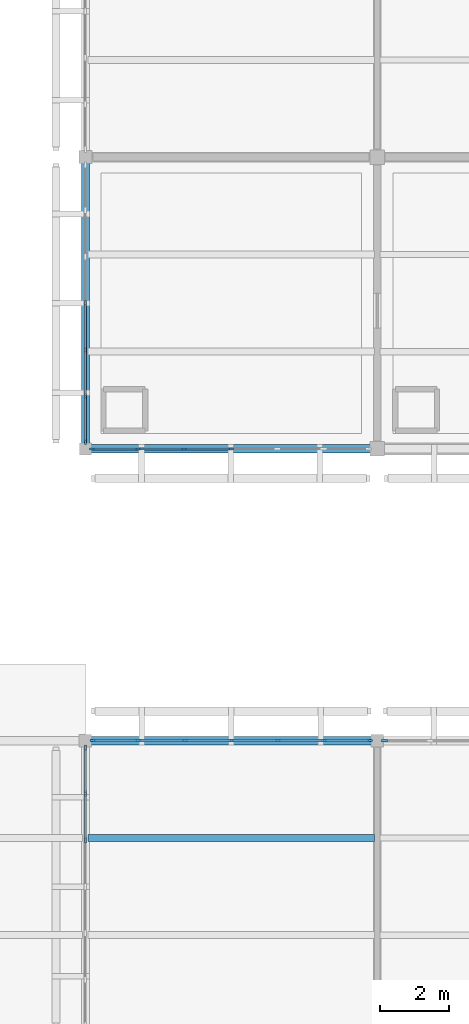
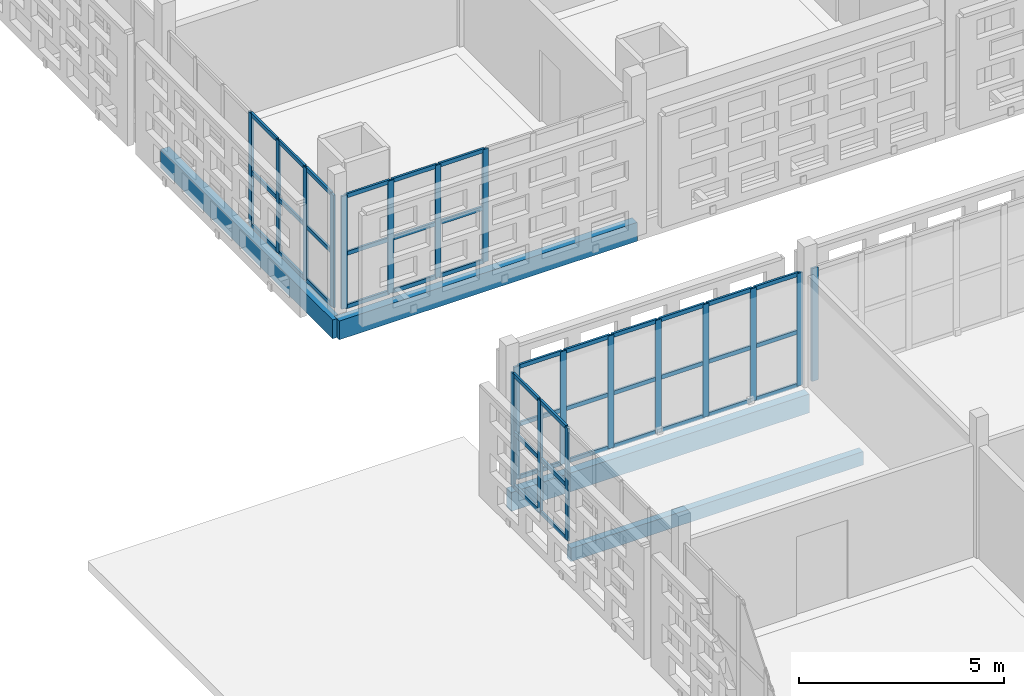
# One storey, part 63 of 166: 61 members, 4 beams, 5 elements without a shape of their own.
"""IFC4 building model written with IfcOpenShell, lengths in metres."""

import ifcopenshell
import ifcopenshell.guid

model = None  # the IFC model being written
_history = None  # IfcOwnerHistory: only IFC2X3 demands one
_inside = {}  # id of a spatial element -> (the spatial element, [elements in it])
_under = {}  # id of a project, library or spatial element -> (it, [spatial elements below it])
_declared = {}  # id of a project -> (the project, [libraries it declares])
_typed = {}  # id of a type object -> (the type object, [elements of that type])
_made_of = {}  # id of a material, layer set ... -> (it, [elements and type objects made of it])


def new_model(schema):
    """Start an empty IFC model of exactly this schema.

    Asked for "IFC4X3", IfcOpenShell would pick the latest addendum, in which some entities
    have other attributes; the version numbers below select the first issue.
    IFC2X3 requires an IfcOwnerHistory on every rooted entity: one is made here for all.
    """
    global model, _history
    if schema == "IFC4X3":
        model = ifcopenshell.file(schema_version=(4, 3, 0, 0))
    else:
        model = ifcopenshell.file(schema=schema)
    _inside.clear()
    _under.clear()
    _declared.clear()
    _typed.clear()
    _made_of.clear()
    _history = None
    if model.schema == "IFC2X3":
        org = make("IfcOrganization", Name="unknown")
        user = make(
            "IfcPersonAndOrganization",
            ThePerson=make("IfcPerson", FamilyName="unknown"),
            TheOrganization=org,
        )
        app = make(
            "IfcApplication",
            ApplicationDeveloper=org,
            Version="unknown",
            ApplicationFullName="unknown",
            ApplicationIdentifier="unknown",
        )
        _history = make(
            "IfcOwnerHistory",
            OwningUser=user,
            OwningApplication=app,
            ChangeAction="ADDED",
            CreationDate=0,
        )
    return model


def make(cls, **values):
    """One entity of the class cls with the attributes given. An attribute that is None is left unset."""
    return model.create_entity(
        cls, **{name: value for name, value in values.items() if value is not None}
    )


def rooted(cls, **values):
    """An entity with a GlobalId (a new one), such as an element, a storey or a relation."""
    return make(cls, GlobalId=ifcopenshell.guid.new(), OwnerHistory=_history, **values)


def si_unit(unit_type, name, prefix=None):
    """IfcSIUnit, for example si_unit("LENGTHUNIT", "METRE", prefix="MILLI")."""
    return make("IfcSIUnit", UnitType=unit_type, Prefix=prefix, Name=name)


def assignment(units):
    """IfcUnitAssignment: the units of a project."""
    return None if units is None else make("IfcUnitAssignment", Units=units)


def point(xyz):
    """IfcCartesianPoint."""
    return None if xyz is None else make("IfcCartesianPoint", Coordinates=xyz)


def direction(xyz):
    """IfcDirection."""
    return None if xyz is None else make("IfcDirection", DirectionRatios=xyz)


def frame(location, z_axis=None, x_axis=None):
    """IfcAxis2Placement3D, a coordinate frame: its origin and axes. An axis left out is left unset."""
    return make(
        "IfcAxis2Placement3D",
        Location=point(location),
        Axis=direction(z_axis),
        RefDirection=direction(x_axis),
    )


def frame_2d(location, x_axis=None):
    """IfcAxis2Placement2D, a coordinate frame in the plane: its origin and x axis."""
    return make(
        "IfcAxis2Placement2D", Location=point(location), RefDirection=direction(x_axis)
    )


def origin():
    """The frame at (0, 0, 0) with its axes left unset."""
    return frame((0.0, 0.0, 0.0))


def origin_2d():
    """The frame at (0, 0) in the plane with its x axis left unset."""
    return frame_2d((0.0, 0.0))


def place(relative_to, where):
    """IfcLocalPlacement: puts the frame where relative to a parent placement (None: the world)."""
    return make(
        "IfcLocalPlacement", PlacementRelTo=relative_to, RelativePlacement=where
    )


def context(
    kind, dimensions, precision=None, world=None, true_north=None, identifier=None
):
    """IfcGeometricRepresentationContext, for example the 3D "Model" context."""
    return make(
        "IfcGeometricRepresentationContext",
        ContextIdentifier=identifier,
        ContextType=kind,
        CoordinateSpaceDimension=dimensions,
        Precision=precision,
        WorldCoordinateSystem=world,
        TrueNorth=true_north,
    )


def subcontext(parent, identifier, kind, view, scale=None):
    """IfcGeometricRepresentationSubContext, for example "Body" below "Model"."""
    return make(
        "IfcGeometricRepresentationSubContext",
        ContextIdentifier=identifier,
        ContextType=kind,
        ParentContext=parent,
        TargetScale=scale,
        TargetView=view,
    )


def project(units=None, contexts=None):
    """IfcProject with its units and contexts."""
    return rooted(
        "IfcProject",
        Name="project",
        RepresentationContexts=contexts,
        UnitsInContext=assignment(units),
    )


def spatial(cls, under=None, at=None, **own):
    """A site, building, storey or space (cls), placed at a placement, below another one or the project."""
    s = rooted(cls, ObjectPlacement=at, **own)
    if under is not None:
        _under.setdefault(under.id(), (under, []))[1].append(s)
    return s


def profile(cls, at=None, kind="AREA", **sizes):
    """A parametric profile (cls). Its sizes go by their IFC names, for example OverallWidth=200.0."""
    return make(cls, ProfileType=kind, Position=at, **sizes)


def rectangle(**sizes):
    """IfcRectangleProfileDef."""
    return profile("IfcRectangleProfileDef", **sizes)


def extrude(swept, where, along, depth):
    """IfcExtrudedAreaSolid: the profile swept, set in the frame where, extruded along a direction by depth."""
    return make(
        "IfcExtrudedAreaSolid",
        SweptArea=swept,
        Position=where,
        ExtrudedDirection=direction(along),
        Depth=depth,
    )


def shape(context_of_items, identifier, shape_type, items):
    """IfcShapeRepresentation: the items that make up one representation, for example the "Body"."""
    return make(
        "IfcShapeRepresentation",
        ContextOfItems=context_of_items,
        RepresentationIdentifier=identifier,
        RepresentationType=shape_type,
        Items=items,
    )


def material(Name=None, Category=None):
    """IfcMaterial."""
    return make("IfcMaterial", Name=Name, Category=Category)


def layer(
    of_material, thickness, ventilated=None, Name=None, Category=None, Priority=None
):
    """IfcMaterialLayer: one layer of a wall or slab, of a material (None: an air gap)."""
    return make(
        "IfcMaterialLayer",
        Material=of_material,
        LayerThickness=thickness,
        IsVentilated=ventilated,
        Name=Name,
        Category=Category,
        Priority=Priority,
    )


def layer_set(layers, Name=None):
    """IfcMaterialLayerSet."""
    return make("IfcMaterialLayerSet", MaterialLayers=layers, LayerSetName=Name)


def material_profile(
    of_material, cross_section, Name=None, Category=None, Priority=None
):
    """IfcMaterialProfile: a cross section and its material."""
    return make(
        "IfcMaterialProfile",
        Name=Name,
        Material=of_material,
        Profile=cross_section,
        Priority=Priority,
        Category=Category,
    )


def profile_set(profiles, Name=None, composite=None):
    """IfcMaterialProfileSet."""
    return make(
        "IfcMaterialProfileSet",
        Name=Name,
        MaterialProfiles=profiles,
        CompositeProfile=composite,
    )


def made_of(thing, what):
    """Note that an element or type object is made of a material, layer set ...; save() writes the relation."""
    if what is not None:
        _made_of.setdefault(what.id(), (what, []))[1].append(thing)
    return thing


def type_object(cls, material=None, **own):
    """A type object (cls), such as IfcWallType, which elements share."""
    return made_of(rooted(cls, **own), material)


def element(
    cls,
    number,
    at=None,
    inside=None,
    cuts=None,
    type_object=None,
    material=None,
    context=None,
    identifier="Body",
    shape_type=None,
    held_by="IfcProductDefinitionShape",
    body=None,
    shapes=None,
    **own,
):
    """One element of the class cls, such as IfcWall. Its Tag is "e" and its number.

    at: its placement. inside: the storey or other place that contains it. cuts: it is an
    opening in that element (IfcRelVoidsElement). A single representation is given by context,
    identifier, shape_type and body (its items); several are given by shapes. held_by: the class
    of the entity that holds the representations. save() writes the other relations.
    """
    e = rooted(cls, Tag="e%d" % number, ObjectPlacement=at, **own)
    if body is not None:
        shapes = [shape(context, identifier, shape_type, body)]
    if shapes is not None:
        e.Representation = make(held_by, Representations=shapes)
    if inside is not None:
        _inside.setdefault(inside.id(), (inside, []))[1].append(e)
    if cuts is not None:
        rooted(
            "IfcRelVoidsElement", RelatingBuildingElement=cuts, RelatedOpeningElement=e
        )
    if type_object is not None:
        _typed.setdefault(type_object.id(), (type_object, []))[1].append(e)
    return made_of(e, material)


def aggregate(whole, parts):
    """IfcRelAggregates: a whole, such as a stair, and the parts it consists of."""
    return rooted("IfcRelAggregates", RelatingObject=whole, RelatedObjects=parts)


def save(model, path):
    """Write the relations noted so far, then the file.

    IfcRelAggregates (storeys below a building ...), IfcRelContainedInSpatialStructure (elements
    in a storey), IfcRelDefinesByType, IfcRelAssociatesMaterial and IfcRelDeclares: one each for
    every whole, place, type object, material and project.
    """
    for whole, parts in _under.values():
        aggregate(whole, parts)
    for where, things in _inside.values():
        rooted(
            "IfcRelContainedInSpatialStructure",
            RelatedElements=things,
            RelatingStructure=where,
        )
    for kind, things in _typed.values():
        rooted("IfcRelDefinesByType", RelatedObjects=things, RelatingType=kind)
    for what, things in _made_of.values():
        rooted("IfcRelAssociatesMaterial", RelatedObjects=things, RelatingMaterial=what)
    for by, libraries in _declared.values():
        rooted("IfcRelDeclares", RelatingContext=by, RelatedDefinitions=libraries)
    model.write(path)


model = new_model("IFC4")

# Units and contexts
model_context = context("Model", 3, precision=1e-05, world=origin(), true_north=direction((0.0, 1.0)))
body_context = subcontext(model_context, "Body", "Model", "MODEL_VIEW")
ifc_project = project(units=[si_unit("LENGTHUNIT", "METRE"), si_unit("AREAUNIT", "SQUARE_METRE"), si_unit("VOLUMEUNIT", "CUBIC_METRE"), si_unit("PLANEANGLEUNIT", "RADIAN"), si_unit("MASSUNIT", "GRAM", prefix="KILO")], contexts=[model_context])

# Site, building, storey
site_placement = place(None, origin())
site = spatial("IfcSite", under=ifc_project, at=site_placement, CompositionType="ELEMENT")
building_placement = place(site_placement, origin())
building = spatial("IfcBuilding", under=site, at=building_placement, Name="Varnapada Polytechnic", CompositionType="ELEMENT")
storey_placement = place(building_placement, frame((0.0, 0.0, 9.60009765625)))
storey = spatial("IfcBuildingStorey", under=building, at=storey_placement, Name="L02", CompositionType="ELEMENT", Elevation=9.60009765625)

# Beam
ifc_material_1 = material(Name="Glulam GL32h", Category="wood")
ifc_material_profile_1 = material_profile(ifc_material_1, rectangle(XDim=0.199951171875, YDim=0.39990234375, at=origin_2d()), Name="GL 200x400")
ifc_profile_set_1 = profile_set([ifc_material_profile_1], Name="Glulam GL32h")
beam_type_1 = type_object("IfcBeamType", Name="Library/laboratory glulam floor joist GJ-01 (GL 200x400)", PredefinedType="JOIST", material=ifc_profile_set_1)
beam_1_placement = place(storey_placement, frame((134.47998046875, 47.60009765625, -0.47021484375), z_axis=(1.0, 0.0, 0.0), x_axis=(0.0, 1.0, 0.0)))
element("IfcBeam", 1, at=beam_1_placement, inside=storey, type_object=beam_type_1, Name="L02 floor joist 17/6.2", PredefinedType="JOIST", context=body_context, shape_type="SweptSolid", body=[
    extrude(rectangle(XDim=0.199951171875, YDim=0.39990234375, at=origin_2d()), origin(), (0.0, 0.0, 1.0), 8.239990234375),
])

# Curtain wall, members
ifc_material_2 = material(Name="Double low-E laminated glass", Category="glass")
ifc_layer_1 = layer(ifc_material_2, 0.159912109375)
ifc_layer_set_1 = layer_set([ifc_layer_1], Name="Double low-E laminated glass")
curtain_wall_type_1 = type_object("IfcCurtainWallType", Name="Curtain Wall CW-01", PredefinedType="NOTDEFINED", material=ifc_layer_set_1)
curtain_wall_1_placement = place(storey_placement, origin())
curtain_wall_1 = element("IfcCurtainWall", 2, at=curtain_wall_1_placement, inside=storey, type_object=curtain_wall_type_1, Name="L02 unitised curtain wall CW-01 (186)", PredefinedType="NOTDEFINED")
ifc_material_3 = material(Name="Anodised aluminium", Category="aluminium")
ifc_material_profile_2 = material_profile(ifc_material_3, rectangle(XDim=0.06005859375, YDim=0.159912109375, at=origin_2d()), Name="ALU M60x160")
ifc_profile_set_2 = profile_set([ifc_material_profile_2], Name="Anodised aluminium")
member_type_1 = type_object("IfcMemberType", Name="Mullion M-01", PredefinedType="MULLION", material=ifc_profile_set_2)
member_1_placement = place(storey_placement, frame((134.610107421875, 50.39990234375, 0.0), z_axis=(0.0, 0.0, 1.0), x_axis=(0.0, 1.0, 0.0)))
member_1 = element("IfcMember", 3, at=member_1_placement, type_object=member_type_1, Name="CW-01 mullion 1", PredefinedType="MULLION", context=body_context, shape_type="SweptSolid", body=[
    extrude(rectangle(XDim=0.06005859375, YDim=0.159912109375, at=origin_2d()), origin(), (0.0, 0.0, 1.0), 3.35986328125),
])
member_2_placement = place(storey_placement, frame((135.919921875, 50.39990234375, 0.0), z_axis=(0.0, 0.0, 1.0), x_axis=(0.0, 1.0, 0.0)))
member_2 = element("IfcMember", 4, at=member_2_placement, type_object=member_type_1, Name="CW-01 mullion 2", PredefinedType="MULLION", context=body_context, shape_type="SweptSolid", body=[
    extrude(rectangle(XDim=0.06005859375, YDim=0.159912109375, at=origin_2d()), origin(), (0.0, 0.0, 1.0), 3.35986328125),
])
member_3_placement = place(storey_placement, frame((137.260009765625, 50.39990234375, 0.0), z_axis=(0.0, 0.0, 1.0), x_axis=(0.0, 1.0, 0.0)))
member_3 = element("IfcMember", 5, at=member_3_placement, type_object=member_type_1, Name="CW-01 mullion 3", PredefinedType="MULLION", context=body_context, shape_type="SweptSolid", body=[
    extrude(rectangle(XDim=0.06005859375, YDim=0.159912109375, at=origin_2d()), origin(), (0.0, 0.0, 1.0), 3.35986328125),
])
member_4_placement = place(storey_placement, frame((138.60009765625, 50.39990234375, 0.0), z_axis=(0.0, 0.0, 1.0), x_axis=(0.0, 1.0, 0.0)))
member_4 = element("IfcMember", 6, at=member_4_placement, type_object=member_type_1, Name="CW-01 mullion 4", PredefinedType="MULLION", context=body_context, shape_type="SweptSolid", body=[
    extrude(rectangle(XDim=0.06005859375, YDim=0.159912109375, at=origin_2d()), origin(), (0.0, 0.0, 1.0), 3.35986328125),
])
member_5_placement = place(storey_placement, frame((139.93994140625, 50.39990234375, 0.0), z_axis=(0.0, 0.0, 1.0), x_axis=(0.0, 1.0, 0.0)))
member_5 = element("IfcMember", 7, at=member_5_placement, type_object=member_type_1, Name="CW-01 mullion 5", PredefinedType="MULLION", context=body_context, shape_type="SweptSolid", body=[
    extrude(rectangle(XDim=0.06005859375, YDim=0.159912109375, at=origin_2d()), origin(), (0.0, 0.0, 1.0), 3.35986328125),
])
member_6_placement = place(storey_placement, frame((141.280029296875, 50.39990234375, 0.0), z_axis=(0.0, 0.0, 1.0), x_axis=(0.0, 1.0, 0.0)))
member_6 = element("IfcMember", 8, at=member_6_placement, type_object=member_type_1, Name="CW-01 mullion 6", PredefinedType="MULLION", context=body_context, shape_type="SweptSolid", body=[
    extrude(rectangle(XDim=0.06005859375, YDim=0.159912109375, at=origin_2d()), origin(), (0.0, 0.0, 1.0), 3.35986328125),
])
member_7_placement = place(storey_placement, frame((142.590087890625, 50.39990234375, 0.0), z_axis=(0.0, 0.0, 1.0), x_axis=(0.0, 1.0, 0.0)))
member_7 = element("IfcMember", 9, at=member_7_placement, type_object=member_type_1, Name="CW-01 mullion 7", PredefinedType="MULLION", context=body_context, shape_type="SweptSolid", body=[
    extrude(rectangle(XDim=0.06005859375, YDim=0.159912109375, at=origin_2d()), origin(), (0.0, 0.0, 1.0), 3.35986328125),
])

curtain_wall_2_placement = place(storey_placement, origin())
curtain_wall_2 = element("IfcCurtainWall", 10, at=curtain_wall_2_placement, inside=storey, type_object=curtain_wall_type_1, Name="L02 unitised curtain wall CW-01 (187)", PredefinedType="NOTDEFINED")
member_8_placement = place(storey_placement, frame((134.39990234375, 47.53662109375, 0.0), z_axis=(0.0, 0.0, 1.0), x_axis=(-1.0, 0.0, 0.0)))
member_8 = element("IfcMember", 11, at=member_8_placement, type_object=member_type_1, Name="CW-01 mullion 5", PredefinedType="MULLION", context=body_context, shape_type="SweptSolid", body=[
    extrude(rectangle(XDim=0.06005859375, YDim=0.159912109375, at=origin_2d()), origin(), (0.0, 0.0, 1.0), 3.35986328125),
])
member_9_placement = place(storey_placement, frame((134.39990234375, 48.87841796875, 0.0), z_axis=(0.0, 0.0, 1.0), x_axis=(-1.0, 0.0, 0.0)))
member_9 = element("IfcMember", 12, at=member_9_placement, type_object=member_type_1, Name="CW-01 mullion 6", PredefinedType="MULLION", context=body_context, shape_type="SweptSolid", body=[
    extrude(rectangle(XDim=0.06005859375, YDim=0.159912109375, at=origin_2d()), origin(), (0.0, 0.0, 1.0), 3.35986328125),
])
member_10_placement = place(storey_placement, frame((134.39990234375, 50.18994140625, 0.0), z_axis=(0.0, 0.0, 1.0), x_axis=(-1.0, 0.0, 0.0)))
member_10 = element("IfcMember", 13, at=member_10_placement, type_object=member_type_1, Name="CW-01 mullion 7", PredefinedType="MULLION", context=body_context, shape_type="SweptSolid", body=[
    extrude(rectangle(XDim=0.06005859375, YDim=0.159912109375, at=origin_2d()), origin(), (0.0, 0.0, 1.0), 3.35986328125),
])

curtain_wall_3_placement = place(storey_placement, origin())
curtain_wall_3 = element("IfcCurtainWall", 14, at=curtain_wall_3_placement, inside=storey, type_object=curtain_wall_type_1, Name="L02 unitised curtain wall CW-01 (188)", PredefinedType="NOTDEFINED")
member_11_placement = place(storey_placement, frame((138.580078125, 58.800048828125, 0.0), z_axis=(0.0, 0.0, 1.0), x_axis=(0.0, -1.0, 0.0)))
member_11 = element("IfcMember", 15, at=member_11_placement, type_object=member_type_1, Name="CW-01 mullion 4", PredefinedType="MULLION", context=body_context, shape_type="SweptSolid", body=[
    extrude(rectangle(XDim=0.06005859375, YDim=0.159912109375, at=origin_2d()), origin(), (0.0, 0.0, 1.0), 3.35986328125),
])
member_12_placement = place(storey_placement, frame((137.243408203125, 58.800048828125, 0.0), z_axis=(0.0, 0.0, 1.0), x_axis=(0.0, -1.0, 0.0)))
member_12 = element("IfcMember", 16, at=member_12_placement, type_object=member_type_1, Name="CW-01 mullion 5", PredefinedType="MULLION", context=body_context, shape_type="SweptSolid", body=[
    extrude(rectangle(XDim=0.06005859375, YDim=0.159912109375, at=origin_2d()), origin(), (0.0, 0.0, 1.0), 3.35986328125),
])
member_13_placement = place(storey_placement, frame((135.90673828125, 58.800048828125, 0.0), z_axis=(0.0, 0.0, 1.0), x_axis=(0.0, -1.0, 0.0)))
member_13 = element("IfcMember", 17, at=member_13_placement, type_object=member_type_1, Name="CW-01 mullion 6", PredefinedType="MULLION", context=body_context, shape_type="SweptSolid", body=[
    extrude(rectangle(XDim=0.06005859375, YDim=0.159912109375, at=origin_2d()), origin(), (0.0, 0.0, 1.0), 3.35986328125),
])
member_14_placement = place(storey_placement, frame((134.60009765625, 58.800048828125, 0.0), z_axis=(0.0, 0.0, 1.0), x_axis=(0.0, -1.0, 0.0)))
member_14 = element("IfcMember", 18, at=member_14_placement, type_object=member_type_1, Name="CW-01 mullion 7", PredefinedType="MULLION", context=body_context, shape_type="SweptSolid", body=[
    extrude(rectangle(XDim=0.06005859375, YDim=0.159912109375, at=origin_2d()), origin(), (0.0, 0.0, 1.0), 3.35986328125),
])

curtain_wall_4_placement = place(storey_placement, origin())
curtain_wall_4 = element("IfcCurtainWall", 19, at=curtain_wall_4_placement, inside=storey, type_object=curtain_wall_type_1, Name="L02 unitised curtain wall CW-01 (189)", PredefinedType="NOTDEFINED")
member_15_placement = place(storey_placement, frame((134.39990234375, 59.0, 0.0), z_axis=(0.0, 0.0, 1.0), x_axis=(-1.0, 0.0, 0.0)))
member_15 = element("IfcMember", 20, at=member_15_placement, type_object=member_type_1, Name="CW-01 mullion 1", PredefinedType="MULLION", context=body_context, shape_type="SweptSolid", body=[
    extrude(rectangle(XDim=0.06005859375, YDim=0.159912109375, at=origin_2d()), origin(), (0.0, 0.0, 1.0), 3.35986328125),
])
member_16_placement = place(storey_placement, frame((134.39990234375, 60.31005859375, 0.0), z_axis=(0.0, 0.0, 1.0), x_axis=(-1.0, 0.0, 0.0)))
member_16 = element("IfcMember", 21, at=member_16_placement, type_object=member_type_1, Name="CW-01 mullion 2", PredefinedType="MULLION", context=body_context, shape_type="SweptSolid", body=[
    extrude(rectangle(XDim=0.06005859375, YDim=0.159912109375, at=origin_2d()), origin(), (0.0, 0.0, 1.0), 3.35986328125),
])
member_17_placement = place(storey_placement, frame((134.39990234375, 61.64990234375, 0.0), z_axis=(0.0, 0.0, 1.0), x_axis=(-1.0, 0.0, 0.0)))
member_17 = element("IfcMember", 22, at=member_17_placement, type_object=member_type_1, Name="CW-01 mullion 3", PredefinedType="MULLION", context=body_context, shape_type="SweptSolid", body=[
    extrude(rectangle(XDim=0.06005859375, YDim=0.159912109375, at=origin_2d()), origin(), (0.0, 0.0, 1.0), 3.35986328125),
])
member_18_placement = place(storey_placement, frame((134.39990234375, 62.989990234375, 0.0), z_axis=(0.0, 0.0, 1.0), x_axis=(-1.0, 0.0, 0.0)))
member_18 = element("IfcMember", 23, at=member_18_placement, type_object=member_type_1, Name="CW-01 mullion 4", PredefinedType="MULLION", context=body_context, shape_type="SweptSolid", body=[
    extrude(rectangle(XDim=0.06005859375, YDim=0.159912109375, at=origin_2d()), origin(), (0.0, 0.0, 1.0), 3.35986328125),
])

# Curtain wall, member
ifc_layer_2 = layer(ifc_material_2, 0.179931640625)
ifc_layer_set_2 = layer_set([ifc_layer_2], Name="Double low-E laminated glass")
curtain_wall_type_2 = type_object("IfcCurtainWallType", Name="Curtain Wall CW-04", PredefinedType="NOTDEFINED", material=ifc_layer_set_2)
curtain_wall_5_placement = place(storey_placement, origin())
curtain_wall_5 = element("IfcCurtainWall", 24, at=curtain_wall_5_placement, inside=storey, type_object=curtain_wall_type_2, Name="L02 unitised curtain wall CW-04 (193)", PredefinedType="NOTDEFINED")
ifc_material_profile_3 = material_profile(ifc_material_3, rectangle(XDim=0.06494140625, YDim=0.179931640625, at=origin_2d()), Name="ALU M65x180")
ifc_profile_set_3 = profile_set([ifc_material_profile_3], Name="Anodised aluminium")
member_type_2 = type_object("IfcMemberType", Name="Mullion M-02", PredefinedType="MULLION", material=ifc_profile_set_3)
member_19_placement = place(storey_placement, frame((143.012451171875, 50.39990234375, 0.0), z_axis=(0.0, 0.0, 1.0), x_axis=(0.0, 1.0, 0.0)))
member_19 = element("IfcMember", 25, at=member_19_placement, type_object=member_type_2, Name="CW-04 mullion 1", PredefinedType="MULLION", context=body_context, shape_type="SweptSolid", body=[
    extrude(rectangle(XDim=0.06494140625, YDim=0.179931640625, at=origin_2d()), origin(), (0.0, 0.0, 1.0), 3.35986328125),
])
aggregate(curtain_wall_5, [member_19])

# Beams
ifc_material_profile_4 = material_profile(ifc_material_1, rectangle(XDim=0.239990234375, YDim=0.56005859375, at=origin_2d()), Name="GL 240x560")
ifc_profile_set_4 = profile_set([ifc_material_profile_4], Name="Glulam GL32h")
beam_type_2 = type_object("IfcBeamType", Name="Perimeter glulam spandrel beam SP-02 (GL 240x560)", PredefinedType="SPANDREL", material=ifc_profile_set_4)
for number, where, z_axis, x_axis, name in (
    (26, (134.39990234375, 50.39990234375, -0.550048828125), (1.0, 0.0, 0.0), (0.0, 1.0, 0.0), "L02 beam X 17-18 at Y7"),
    (27, (134.39990234375, 58.800048828125, -0.530029296875), (1.0, 0.0, 0.0), (0.0, 1.0, 0.0), "L02 beam X 17-18 at Y8"),
):
    element("IfcBeam", number, at=place(storey_placement, frame(where, z_axis=z_axis, x_axis=x_axis)), inside=storey, type_object=beam_type_2, Name=name, PredefinedType="SPANDREL", context=body_context, shape_type="SweptSolid", body=[
        extrude(rectangle(XDim=0.239990234375, YDim=0.56005859375, at=origin_2d()), origin(), (0.0, 0.0, 1.0), 8.400146484375),
    ])
beam_2_placement = place(storey_placement, frame((134.39990234375, 58.800048828125, -0.530029296875), z_axis=(0.0, 1.0, 0.0), x_axis=(-1.0, 0.0, 0.0)))
element("IfcBeam", 28, at=beam_2_placement, inside=storey, type_object=beam_type_2, Name="L02 beam Y 8-9 at X17", PredefinedType="SPANDREL", context=body_context, shape_type="SweptSolid", body=[
    extrude(rectangle(XDim=0.239990234375, YDim=0.56005859375, at=origin_2d()), origin(), (0.0, 0.0, 1.0), 8.39990234375),
])

# Member
ifc_material_profile_5 = material_profile(ifc_material_3, rectangle(XDim=0.06005859375, YDim=0.1201171875, at=origin_2d()), Name="ALU T60x120")
ifc_profile_set_5 = profile_set([ifc_material_profile_5], Name="Anodised aluminium")
member_type_3 = type_object("IfcMemberType", Name="Transom T-01", PredefinedType="USERDEFINED", material=ifc_profile_set_5)
member_20_placement = place(storey_placement, frame((134.639892578125, 50.39990234375, 0.02978515625), z_axis=(1.0, 0.0, 0.0), x_axis=(0.0, 1.0, 0.0)))
member_20 = element("IfcMember", 29, at=member_20_placement, type_object=member_type_3, Name="CW-01 transom 1.1", ObjectType="TRANSOM", PredefinedType="USERDEFINED", context=body_context, shape_type="SweptSolid", body=[
    extrude(rectangle(XDim=0.06005859375, YDim=0.1201171875, at=origin_2d()), origin(), (0.0, 0.0, 1.0), 1.25),
])

member_21_placement = place(storey_placement, frame((134.639892578125, 50.39990234375, 1.61279296875), z_axis=(1.0, 0.0, 0.0), x_axis=(0.0, 1.0, 0.0)))
member_21 = element("IfcMember", 30, at=member_21_placement, type_object=member_type_3, Name="CW-01 transom 1.2", ObjectType="TRANSOM", PredefinedType="USERDEFINED", context=body_context, shape_type="SweptSolid", body=[
    extrude(rectangle(XDim=0.06005859375, YDim=0.1201171875, at=origin_2d()), origin(), (0.0, 0.0, 1.0), 1.25),
])

member_22_placement = place(storey_placement, frame((134.639892578125, 50.39990234375, 3.329833984375), z_axis=(1.0, 0.0, 0.0), x_axis=(0.0, 1.0, 0.0)))
member_22 = element("IfcMember", 31, at=member_22_placement, type_object=member_type_3, Name="CW-01 transom 1.3", ObjectType="TRANSOM", PredefinedType="USERDEFINED", context=body_context, shape_type="SweptSolid", body=[
    extrude(rectangle(XDim=0.06005859375, YDim=0.1201171875, at=origin_2d()), origin(), (0.0, 0.0, 1.0), 1.25),
])

member_23_placement = place(storey_placement, frame((135.949951171875, 50.39990234375, 0.02978515625), z_axis=(1.0, 0.0, 0.0), x_axis=(0.0, 1.0, 0.0)))
member_23 = element("IfcMember", 32, at=member_23_placement, type_object=member_type_3, Name="CW-01 transom 2.1", ObjectType="TRANSOM", PredefinedType="USERDEFINED", context=body_context, shape_type="SweptSolid", body=[
    extrude(rectangle(XDim=0.06005859375, YDim=0.1201171875, at=origin_2d()), origin(), (0.0, 0.0, 1.0), 1.280029296875),
])

member_24_placement = place(storey_placement, frame((135.949951171875, 50.39990234375, 1.61279296875), z_axis=(1.0, 0.0, 0.0), x_axis=(0.0, 1.0, 0.0)))
member_24 = element("IfcMember", 33, at=member_24_placement, type_object=member_type_3, Name="CW-01 transom 2.2", ObjectType="TRANSOM", PredefinedType="USERDEFINED", context=body_context, shape_type="SweptSolid", body=[
    extrude(rectangle(XDim=0.06005859375, YDim=0.1201171875, at=origin_2d()), origin(), (0.0, 0.0, 1.0), 1.280029296875),
])

member_25_placement = place(storey_placement, frame((135.949951171875, 50.39990234375, 3.329833984375), z_axis=(1.0, 0.0, 0.0), x_axis=(0.0, 1.0, 0.0)))
member_25 = element("IfcMember", 34, at=member_25_placement, type_object=member_type_3, Name="CW-01 transom 2.3", ObjectType="TRANSOM", PredefinedType="USERDEFINED", context=body_context, shape_type="SweptSolid", body=[
    extrude(rectangle(XDim=0.06005859375, YDim=0.1201171875, at=origin_2d()), origin(), (0.0, 0.0, 1.0), 1.280029296875),
])

member_26_placement = place(storey_placement, frame((137.2900390625, 50.39990234375, 0.02978515625), z_axis=(1.0, 0.0, 0.0), x_axis=(0.0, 1.0, 0.0)))
member_26 = element("IfcMember", 35, at=member_26_placement, type_object=member_type_3, Name="CW-01 transom 3.1", ObjectType="TRANSOM", PredefinedType="USERDEFINED", context=body_context, shape_type="SweptSolid", body=[
    extrude(rectangle(XDim=0.06005859375, YDim=0.1201171875, at=origin_2d()), origin(), (0.0, 0.0, 1.0), 1.280029296875),
])

member_27_placement = place(storey_placement, frame((137.2900390625, 50.39990234375, 1.61279296875), z_axis=(1.0, 0.0, 0.0), x_axis=(0.0, 1.0, 0.0)))
member_27 = element("IfcMember", 36, at=member_27_placement, type_object=member_type_3, Name="CW-01 transom 3.2", ObjectType="TRANSOM", PredefinedType="USERDEFINED", context=body_context, shape_type="SweptSolid", body=[
    extrude(rectangle(XDim=0.06005859375, YDim=0.1201171875, at=origin_2d()), origin(), (0.0, 0.0, 1.0), 1.280029296875),
])

member_28_placement = place(storey_placement, frame((137.2900390625, 50.39990234375, 3.329833984375), z_axis=(1.0, 0.0, 0.0), x_axis=(0.0, 1.0, 0.0)))
member_28 = element("IfcMember", 37, at=member_28_placement, type_object=member_type_3, Name="CW-01 transom 3.3", ObjectType="TRANSOM", PredefinedType="USERDEFINED", context=body_context, shape_type="SweptSolid", body=[
    extrude(rectangle(XDim=0.06005859375, YDim=0.1201171875, at=origin_2d()), origin(), (0.0, 0.0, 1.0), 1.280029296875),
])

member_29_placement = place(storey_placement, frame((138.6298828125, 50.39990234375, 0.02978515625), z_axis=(1.0, 0.0, 0.0), x_axis=(0.0, 1.0, 0.0)))
member_29 = element("IfcMember", 38, at=member_29_placement, type_object=member_type_3, Name="CW-01 transom 4.1", ObjectType="TRANSOM", PredefinedType="USERDEFINED", context=body_context, shape_type="SweptSolid", body=[
    extrude(rectangle(XDim=0.06005859375, YDim=0.1201171875, at=origin_2d()), origin(), (0.0, 0.0, 1.0), 1.280029296875),
])

member_30_placement = place(storey_placement, frame((138.6298828125, 50.39990234375, 1.61279296875), z_axis=(1.0, 0.0, 0.0), x_axis=(0.0, 1.0, 0.0)))
member_30 = element("IfcMember", 39, at=member_30_placement, type_object=member_type_3, Name="CW-01 transom 4.2", ObjectType="TRANSOM", PredefinedType="USERDEFINED", context=body_context, shape_type="SweptSolid", body=[
    extrude(rectangle(XDim=0.06005859375, YDim=0.1201171875, at=origin_2d()), origin(), (0.0, 0.0, 1.0), 1.280029296875),
])

member_31_placement = place(storey_placement, frame((138.6298828125, 50.39990234375, 3.329833984375), z_axis=(1.0, 0.0, 0.0), x_axis=(0.0, 1.0, 0.0)))
member_31 = element("IfcMember", 40, at=member_31_placement, type_object=member_type_3, Name="CW-01 transom 4.3", ObjectType="TRANSOM", PredefinedType="USERDEFINED", context=body_context, shape_type="SweptSolid", body=[
    extrude(rectangle(XDim=0.06005859375, YDim=0.1201171875, at=origin_2d()), origin(), (0.0, 0.0, 1.0), 1.280029296875),
])

member_32_placement = place(storey_placement, frame((139.969970703125, 50.39990234375, 0.02978515625), z_axis=(1.0, 0.0, 0.0), x_axis=(0.0, 1.0, 0.0)))
member_32 = element("IfcMember", 41, at=member_32_placement, type_object=member_type_3, Name="CW-01 transom 5.1", ObjectType="TRANSOM", PredefinedType="USERDEFINED", context=body_context, shape_type="SweptSolid", body=[
    extrude(rectangle(XDim=0.06005859375, YDim=0.1201171875, at=origin_2d()), origin(), (0.0, 0.0, 1.0), 1.280029296875),
])

member_33_placement = place(storey_placement, frame((139.969970703125, 50.39990234375, 1.61279296875), z_axis=(1.0, 0.0, 0.0), x_axis=(0.0, 1.0, 0.0)))
member_33 = element("IfcMember", 42, at=member_33_placement, type_object=member_type_3, Name="CW-01 transom 5.2", ObjectType="TRANSOM", PredefinedType="USERDEFINED", context=body_context, shape_type="SweptSolid", body=[
    extrude(rectangle(XDim=0.06005859375, YDim=0.1201171875, at=origin_2d()), origin(), (0.0, 0.0, 1.0), 1.280029296875),
])

member_34_placement = place(storey_placement, frame((139.969970703125, 50.39990234375, 3.329833984375), z_axis=(1.0, 0.0, 0.0), x_axis=(0.0, 1.0, 0.0)))
member_34 = element("IfcMember", 43, at=member_34_placement, type_object=member_type_3, Name="CW-01 transom 5.3", ObjectType="TRANSOM", PredefinedType="USERDEFINED", context=body_context, shape_type="SweptSolid", body=[
    extrude(rectangle(XDim=0.06005859375, YDim=0.1201171875, at=origin_2d()), origin(), (0.0, 0.0, 1.0), 1.280029296875),
])

member_35_placement = place(storey_placement, frame((141.31005859375, 50.39990234375, 0.02978515625), z_axis=(1.0, 0.0, 0.0), x_axis=(0.0, 1.0, 0.0)))
member_35 = element("IfcMember", 44, at=member_35_placement, type_object=member_type_3, Name="CW-01 transom 6.1", ObjectType="TRANSOM", PredefinedType="USERDEFINED", context=body_context, shape_type="SweptSolid", body=[
    extrude(rectangle(XDim=0.06005859375, YDim=0.1201171875, at=origin_2d()), origin(), (0.0, 0.0, 1.0), 1.25),
])

member_36_placement = place(storey_placement, frame((141.31005859375, 50.39990234375, 1.61279296875), z_axis=(1.0, 0.0, 0.0), x_axis=(0.0, 1.0, 0.0)))
member_36 = element("IfcMember", 45, at=member_36_placement, type_object=member_type_3, Name="CW-01 transom 6.2", ObjectType="TRANSOM", PredefinedType="USERDEFINED", context=body_context, shape_type="SweptSolid", body=[
    extrude(rectangle(XDim=0.06005859375, YDim=0.1201171875, at=origin_2d()), origin(), (0.0, 0.0, 1.0), 1.25),
])

member_37_placement = place(storey_placement, frame((141.31005859375, 50.39990234375, 3.329833984375), z_axis=(1.0, 0.0, 0.0), x_axis=(0.0, 1.0, 0.0)))
member_37 = element("IfcMember", 46, at=member_37_placement, type_object=member_type_3, Name="CW-01 transom 6.3", ObjectType="TRANSOM", PredefinedType="USERDEFINED", context=body_context, shape_type="SweptSolid", body=[
    extrude(rectangle(XDim=0.06005859375, YDim=0.1201171875, at=origin_2d()), origin(), (0.0, 0.0, 1.0), 1.25),
])

aggregate(curtain_wall_1, [member_1, member_2, member_3, member_4, member_5, member_6, member_7, member_20, member_21, member_22, member_23, member_24, member_25, member_26, member_27, member_28, member_29, member_30, member_31, member_32, member_33, member_34, member_35, member_36, member_37])

member_38_placement = place(storey_placement, frame((134.39990234375, 47.566650390625, 0.02978515625), z_axis=(0.0, 1.0, 0.0), x_axis=(-1.0, 0.0, 0.0)))
member_38 = element("IfcMember", 47, at=member_38_placement, type_object=member_type_3, Name="CW-01 transom 5.1", ObjectType="TRANSOM", PredefinedType="USERDEFINED", context=body_context, shape_type="SweptSolid", body=[
    extrude(rectangle(XDim=0.06005859375, YDim=0.1201171875, at=origin_2d()), origin(), (0.0, 0.0, 1.0), 1.28173828125),
])

member_39_placement = place(storey_placement, frame((134.39990234375, 47.566650390625, 1.61279296875), z_axis=(0.0, 1.0, 0.0), x_axis=(-1.0, 0.0, 0.0)))
member_39 = element("IfcMember", 48, at=member_39_placement, type_object=member_type_3, Name="CW-01 transom 5.2", ObjectType="TRANSOM", PredefinedType="USERDEFINED", context=body_context, shape_type="SweptSolid", body=[
    extrude(rectangle(XDim=0.06005859375, YDim=0.1201171875, at=origin_2d()), origin(), (0.0, 0.0, 1.0), 1.28173828125),
])

member_40_placement = place(storey_placement, frame((134.39990234375, 47.566650390625, 3.329833984375), z_axis=(0.0, 1.0, 0.0), x_axis=(-1.0, 0.0, 0.0)))
member_40 = element("IfcMember", 49, at=member_40_placement, type_object=member_type_3, Name="CW-01 transom 5.3", ObjectType="TRANSOM", PredefinedType="USERDEFINED", context=body_context, shape_type="SweptSolid", body=[
    extrude(rectangle(XDim=0.06005859375, YDim=0.1201171875, at=origin_2d()), origin(), (0.0, 0.0, 1.0), 1.28173828125),
])

member_41_placement = place(storey_placement, frame((134.39990234375, 48.908447265625, 0.02978515625), z_axis=(0.0, 1.0, 0.0), x_axis=(-1.0, 0.0, 0.0)))
member_41 = element("IfcMember", 50, at=member_41_placement, type_object=member_type_3, Name="CW-01 transom 6.1", ObjectType="TRANSOM", PredefinedType="USERDEFINED", context=body_context, shape_type="SweptSolid", body=[
    extrude(rectangle(XDim=0.06005859375, YDim=0.1201171875, at=origin_2d()), origin(), (0.0, 0.0, 1.0), 1.25146484375),
])

member_42_placement = place(storey_placement, frame((134.39990234375, 48.908447265625, 1.61279296875), z_axis=(0.0, 1.0, 0.0), x_axis=(-1.0, 0.0, 0.0)))
member_42 = element("IfcMember", 51, at=member_42_placement, type_object=member_type_3, Name="CW-01 transom 6.2", ObjectType="TRANSOM", PredefinedType="USERDEFINED", context=body_context, shape_type="SweptSolid", body=[
    extrude(rectangle(XDim=0.06005859375, YDim=0.1201171875, at=origin_2d()), origin(), (0.0, 0.0, 1.0), 1.25146484375),
])

member_43_placement = place(storey_placement, frame((134.39990234375, 48.908447265625, 3.329833984375), z_axis=(0.0, 1.0, 0.0), x_axis=(-1.0, 0.0, 0.0)))
member_43 = element("IfcMember", 52, at=member_43_placement, type_object=member_type_3, Name="CW-01 transom 6.3", ObjectType="TRANSOM", PredefinedType="USERDEFINED", context=body_context, shape_type="SweptSolid", body=[
    extrude(rectangle(XDim=0.06005859375, YDim=0.1201171875, at=origin_2d()), origin(), (0.0, 0.0, 1.0), 1.25146484375),
])

aggregate(curtain_wall_2, [member_8, member_9, member_10, member_38, member_39, member_40, member_41, member_42, member_43])

member_44_placement = place(storey_placement, frame((138.550048828125, 58.800048828125, 0.02978515625), z_axis=(-1.0, 0.0, 0.0), x_axis=(0.0, -1.0, 0.0)))
member_44 = element("IfcMember", 53, at=member_44_placement, type_object=member_type_3, Name="CW-01 transom 4.1", ObjectType="TRANSOM", PredefinedType="USERDEFINED", context=body_context, shape_type="SweptSolid", body=[
    extrude(rectangle(XDim=0.06005859375, YDim=0.1201171875, at=origin_2d()), origin(), (0.0, 0.0, 1.0), 1.276611328125),
])

member_45_placement = place(storey_placement, frame((138.550048828125, 58.800048828125, 1.61279296875), z_axis=(-1.0, 0.0, 0.0), x_axis=(0.0, -1.0, 0.0)))
member_45 = element("IfcMember", 54, at=member_45_placement, type_object=member_type_3, Name="CW-01 transom 4.2", ObjectType="TRANSOM", PredefinedType="USERDEFINED", context=body_context, shape_type="SweptSolid", body=[
    extrude(rectangle(XDim=0.06005859375, YDim=0.1201171875, at=origin_2d()), origin(), (0.0, 0.0, 1.0), 1.276611328125),
])

member_46_placement = place(storey_placement, frame((138.550048828125, 58.800048828125, 3.329833984375), z_axis=(-1.0, 0.0, 0.0), x_axis=(0.0, -1.0, 0.0)))
member_46 = element("IfcMember", 55, at=member_46_placement, type_object=member_type_3, Name="CW-01 transom 4.3", ObjectType="TRANSOM", PredefinedType="USERDEFINED", context=body_context, shape_type="SweptSolid", body=[
    extrude(rectangle(XDim=0.06005859375, YDim=0.1201171875, at=origin_2d()), origin(), (0.0, 0.0, 1.0), 1.276611328125),
])

member_47_placement = place(storey_placement, frame((137.21337890625, 58.800048828125, 0.02978515625), z_axis=(-1.0, 0.0, 0.0), x_axis=(0.0, -1.0, 0.0)))
member_47 = element("IfcMember", 56, at=member_47_placement, type_object=member_type_3, Name="CW-01 transom 5.1", ObjectType="TRANSOM", PredefinedType="USERDEFINED", context=body_context, shape_type="SweptSolid", body=[
    extrude(rectangle(XDim=0.06005859375, YDim=0.1201171875, at=origin_2d()), origin(), (0.0, 0.0, 1.0), 1.276611328125),
])

member_48_placement = place(storey_placement, frame((137.21337890625, 58.800048828125, 1.61279296875), z_axis=(-1.0, 0.0, 0.0), x_axis=(0.0, -1.0, 0.0)))
member_48 = element("IfcMember", 57, at=member_48_placement, type_object=member_type_3, Name="CW-01 transom 5.2", ObjectType="TRANSOM", PredefinedType="USERDEFINED", context=body_context, shape_type="SweptSolid", body=[
    extrude(rectangle(XDim=0.06005859375, YDim=0.1201171875, at=origin_2d()), origin(), (0.0, 0.0, 1.0), 1.276611328125),
])

member_49_placement = place(storey_placement, frame((137.21337890625, 58.800048828125, 3.329833984375), z_axis=(-1.0, 0.0, 0.0), x_axis=(0.0, -1.0, 0.0)))
member_49 = element("IfcMember", 58, at=member_49_placement, type_object=member_type_3, Name="CW-01 transom 5.3", ObjectType="TRANSOM", PredefinedType="USERDEFINED", context=body_context, shape_type="SweptSolid", body=[
    extrude(rectangle(XDim=0.06005859375, YDim=0.1201171875, at=origin_2d()), origin(), (0.0, 0.0, 1.0), 1.276611328125),
])

member_50_placement = place(storey_placement, frame((135.876708984375, 58.800048828125, 0.02978515625), z_axis=(-1.0, 0.0, 0.0), x_axis=(0.0, -1.0, 0.0)))
member_50 = element("IfcMember", 59, at=member_50_placement, type_object=member_type_3, Name="CW-01 transom 6.1", ObjectType="TRANSOM", PredefinedType="USERDEFINED", context=body_context, shape_type="SweptSolid", body=[
    extrude(rectangle(XDim=0.06005859375, YDim=0.1201171875, at=origin_2d()), origin(), (0.0, 0.0, 1.0), 1.246826171875),
])

member_51_placement = place(storey_placement, frame((135.876708984375, 58.800048828125, 1.61279296875), z_axis=(-1.0, 0.0, 0.0), x_axis=(0.0, -1.0, 0.0)))
member_51 = element("IfcMember", 60, at=member_51_placement, type_object=member_type_3, Name="CW-01 transom 6.2", ObjectType="TRANSOM", PredefinedType="USERDEFINED", context=body_context, shape_type="SweptSolid", body=[
    extrude(rectangle(XDim=0.06005859375, YDim=0.1201171875, at=origin_2d()), origin(), (0.0, 0.0, 1.0), 1.246826171875),
])

member_52_placement = place(storey_placement, frame((135.876708984375, 58.800048828125, 3.329833984375), z_axis=(-1.0, 0.0, 0.0), x_axis=(0.0, -1.0, 0.0)))
member_52 = element("IfcMember", 61, at=member_52_placement, type_object=member_type_3, Name="CW-01 transom 6.3", ObjectType="TRANSOM", PredefinedType="USERDEFINED", context=body_context, shape_type="SweptSolid", body=[
    extrude(rectangle(XDim=0.06005859375, YDim=0.1201171875, at=origin_2d()), origin(), (0.0, 0.0, 1.0), 1.246826171875),
])

aggregate(curtain_wall_3, [member_11, member_12, member_13, member_14, member_44, member_45, member_46, member_47, member_48, member_49, member_50, member_51, member_52])

member_53_placement = place(storey_placement, frame((134.39990234375, 59.030029296875, 0.02978515625), z_axis=(0.0, 1.0, 0.0), x_axis=(-1.0, 0.0, 0.0)))
member_53 = element("IfcMember", 62, at=member_53_placement, type_object=member_type_3, Name="CW-01 transom 1.1", ObjectType="TRANSOM", PredefinedType="USERDEFINED", context=body_context, shape_type="SweptSolid", body=[
    extrude(rectangle(XDim=0.06005859375, YDim=0.1201171875, at=origin_2d()), origin(), (0.0, 0.0, 1.0), 1.25),
])

member_54_placement = place(storey_placement, frame((134.39990234375, 59.030029296875, 1.61279296875), z_axis=(0.0, 1.0, 0.0), x_axis=(-1.0, 0.0, 0.0)))
member_54 = element("IfcMember", 63, at=member_54_placement, type_object=member_type_3, Name="CW-01 transom 1.2", ObjectType="TRANSOM", PredefinedType="USERDEFINED", context=body_context, shape_type="SweptSolid", body=[
    extrude(rectangle(XDim=0.06005859375, YDim=0.1201171875, at=origin_2d()), origin(), (0.0, 0.0, 1.0), 1.25),
])

member_55_placement = place(storey_placement, frame((134.39990234375, 59.030029296875, 3.329833984375), z_axis=(0.0, 1.0, 0.0), x_axis=(-1.0, 0.0, 0.0)))
member_55 = element("IfcMember", 64, at=member_55_placement, type_object=member_type_3, Name="CW-01 transom 1.3", ObjectType="TRANSOM", PredefinedType="USERDEFINED", context=body_context, shape_type="SweptSolid", body=[
    extrude(rectangle(XDim=0.06005859375, YDim=0.1201171875, at=origin_2d()), origin(), (0.0, 0.0, 1.0), 1.25),
])

member_56_placement = place(storey_placement, frame((134.39990234375, 60.340087890625, 0.02978515625), z_axis=(0.0, 1.0, 0.0), x_axis=(-1.0, 0.0, 0.0)))
member_56 = element("IfcMember", 65, at=member_56_placement, type_object=member_type_3, Name="CW-01 transom 2.1", ObjectType="TRANSOM", PredefinedType="USERDEFINED", context=body_context, shape_type="SweptSolid", body=[
    extrude(rectangle(XDim=0.06005859375, YDim=0.1201171875, at=origin_2d()), origin(), (0.0, 0.0, 1.0), 1.280029296875),
])

member_57_placement = place(storey_placement, frame((134.39990234375, 60.340087890625, 1.61279296875), z_axis=(0.0, 1.0, 0.0), x_axis=(-1.0, 0.0, 0.0)))
member_57 = element("IfcMember", 66, at=member_57_placement, type_object=member_type_3, Name="CW-01 transom 2.2", ObjectType="TRANSOM", PredefinedType="USERDEFINED", context=body_context, shape_type="SweptSolid", body=[
    extrude(rectangle(XDim=0.06005859375, YDim=0.1201171875, at=origin_2d()), origin(), (0.0, 0.0, 1.0), 1.280029296875),
])

member_58_placement = place(storey_placement, frame((134.39990234375, 60.340087890625, 3.329833984375), z_axis=(0.0, 1.0, 0.0), x_axis=(-1.0, 0.0, 0.0)))
member_58 = element("IfcMember", 67, at=member_58_placement, type_object=member_type_3, Name="CW-01 transom 2.3", ObjectType="TRANSOM", PredefinedType="USERDEFINED", context=body_context, shape_type="SweptSolid", body=[
    extrude(rectangle(XDim=0.06005859375, YDim=0.1201171875, at=origin_2d()), origin(), (0.0, 0.0, 1.0), 1.280029296875),
])

member_59_placement = place(storey_placement, frame((134.39990234375, 61.679931640625, 0.02978515625), z_axis=(0.0, 1.0, 0.0), x_axis=(-1.0, 0.0, 0.0)))
member_59 = element("IfcMember", 68, at=member_59_placement, type_object=member_type_3, Name="CW-01 transom 3.1", ObjectType="TRANSOM", PredefinedType="USERDEFINED", context=body_context, shape_type="SweptSolid", body=[
    extrude(rectangle(XDim=0.06005859375, YDim=0.1201171875, at=origin_2d()), origin(), (0.0, 0.0, 1.0), 1.280029296875),
])

member_60_placement = place(storey_placement, frame((134.39990234375, 61.679931640625, 1.61279296875), z_axis=(0.0, 1.0, 0.0), x_axis=(-1.0, 0.0, 0.0)))
member_60 = element("IfcMember", 69, at=member_60_placement, type_object=member_type_3, Name="CW-01 transom 3.2", ObjectType="TRANSOM", PredefinedType="USERDEFINED", context=body_context, shape_type="SweptSolid", body=[
    extrude(rectangle(XDim=0.06005859375, YDim=0.1201171875, at=origin_2d()), origin(), (0.0, 0.0, 1.0), 1.280029296875),
])

member_61_placement = place(storey_placement, frame((134.39990234375, 61.679931640625, 3.329833984375), z_axis=(0.0, 1.0, 0.0), x_axis=(-1.0, 0.0, 0.0)))
member_61 = element("IfcMember", 70, at=member_61_placement, type_object=member_type_3, Name="CW-01 transom 3.3", ObjectType="TRANSOM", PredefinedType="USERDEFINED", context=body_context, shape_type="SweptSolid", body=[
    extrude(rectangle(XDim=0.06005859375, YDim=0.1201171875, at=origin_2d()), origin(), (0.0, 0.0, 1.0), 1.280029296875),
])

aggregate(curtain_wall_4, [member_15, member_16, member_17, member_18, member_53, member_54, member_55, member_56, member_57, member_58, member_59, member_60, member_61])

save(model, "model.ifc")
